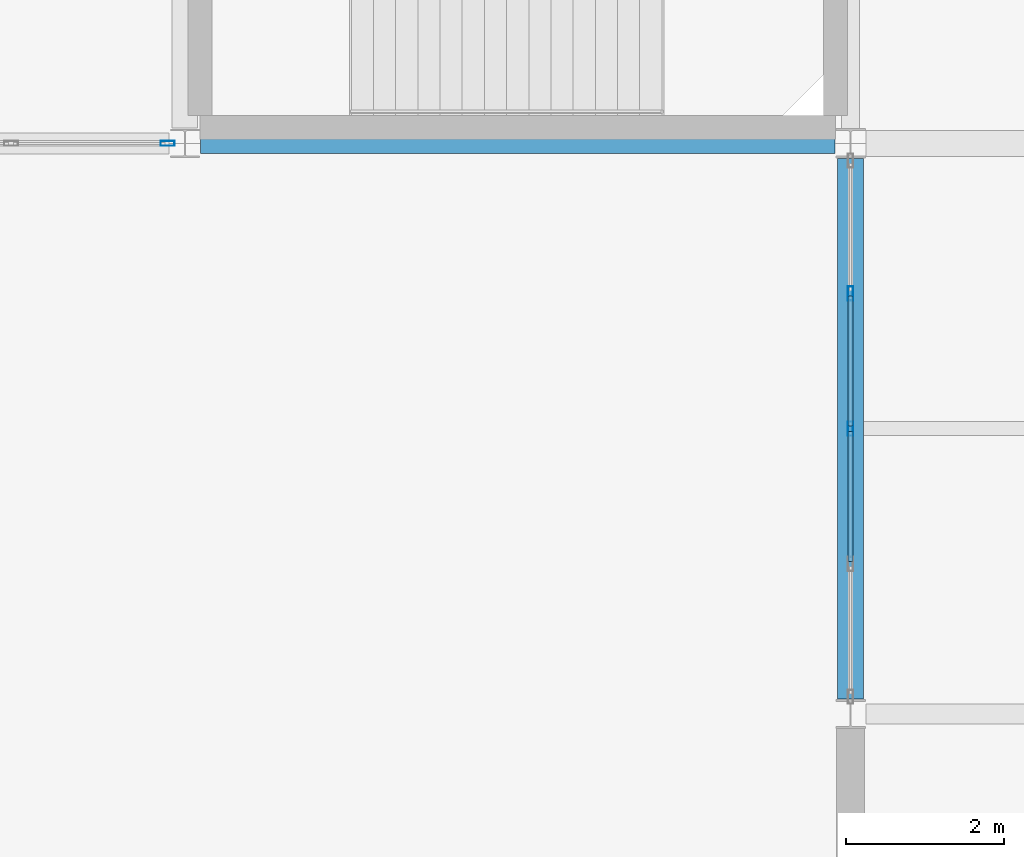
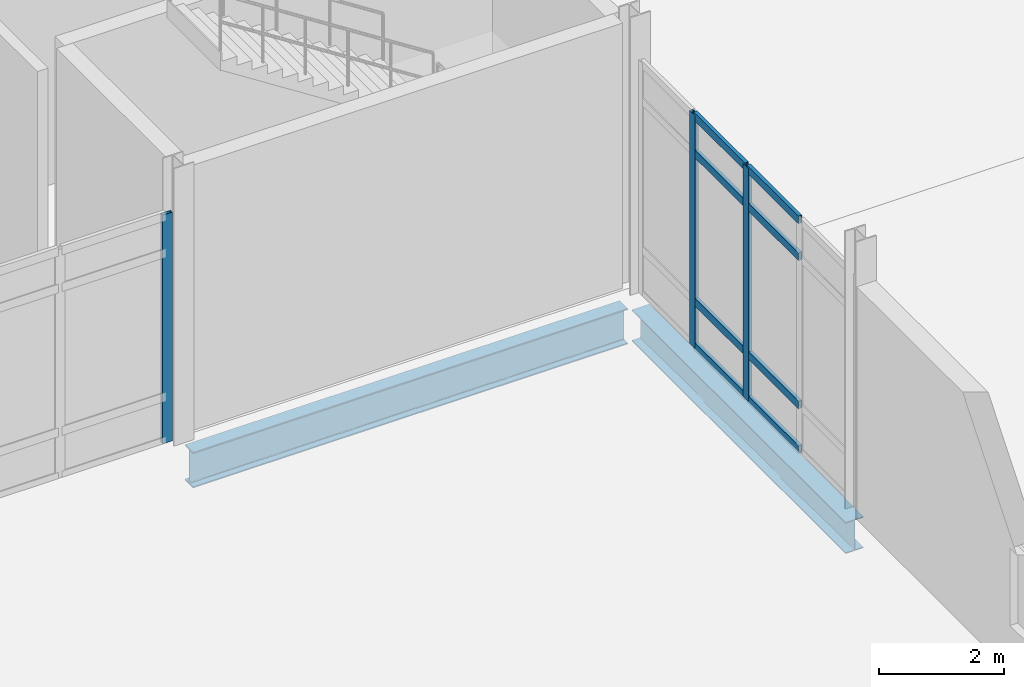
# One storey, part 93 of 229: 11 members, 2 beams, 2 elements without a shape of their own.
"""IFC4 building model written with IfcOpenShell, lengths in metres."""

from ifc_helpers import new_model, si_unit, direction, frame, origin, origin_2d, place, context, subcontext, project, spatial, hollow_rectangle, i_section, extrude, material, layer, layer_set, material_profile, profile_set, type_object, element, aggregate, save


model = new_model("IFC4")

# Units and contexts
model_context = context("Model", 3, precision=1e-05, world=origin(), true_north=direction((0.0, 1.0)))
body_context = subcontext(model_context, "Body", "Model", "MODEL_VIEW")
ifc_project = project(units=[si_unit("LENGTHUNIT", "METRE"), si_unit("AREAUNIT", "SQUARE_METRE"), si_unit("VOLUMEUNIT", "CUBIC_METRE"), si_unit("PLANEANGLEUNIT", "RADIAN"), si_unit("MASSUNIT", "GRAM", prefix="KILO")], contexts=[model_context])

# Site, building, storey
site_placement = place(None, origin())
site = spatial("IfcSite", under=ifc_project, at=site_placement, CompositionType="ELEMENT")
building_placement = place(site_placement, origin())
building = spatial("IfcBuilding", under=site, at=building_placement, Name="Calvrana Isthmian Art Gallery", CompositionType="ELEMENT")
storey_placement = place(building_placement, origin())
storey = spatial("IfcBuildingStorey", under=building, at=storey_placement, Name="L00", CompositionType="ELEMENT", Elevation=0.0)

# Beams
ifc_material_1 = material(Name="Steel ASTM A992 Gr 50", Category="steel")
ifc_material_profile_1 = material_profile(ifc_material_1, i_section(OverallWidth=0.324951171875, OverallDepth=0.612060546875, WebThickness=0.0126953125, FlangeThickness=0.01904296875, FilletRadius=0.02197265625, at=origin_2d()), Name="W24X104")
ifc_profile_set_1 = profile_set([ifc_material_profile_1], Name="Steel ASTM A992 Gr 50")
beam_type_1 = type_object("IfcBeamType", Name="BM-G-W24X104", PredefinedType="BEAM", material=ifc_profile_set_1)
beam_1_placement = place(storey_placement, frame((55.199951171875, 91.387939453125, -0.591064453125), z_axis=(0.0, 1.0, 0.0), x_axis=(-1.0, 0.0, 0.0)))
element("IfcBeam", 1, at=beam_1_placement, inside=storey, type_object=beam_type_1, Name="Girder Y L00 08/M-N", PredefinedType="BEAM", context=body_context, shape_type="SweptSolid", body=[
    extrude(i_section(OverallWidth=0.324951171875, OverallDepth=0.612060546875, WebThickness=0.0126953125, FlangeThickness=0.01904296875, FilletRadius=0.02197265625, at=origin_2d()), origin(), (0.0, 0.0, 1.0), 6.821533203125),
])
ifc_material_profile_2 = material_profile(ifc_material_1, i_section(OverallWidth=0.257080078125, OverallDepth=0.693115234375, WebThickness=0.014404296875, FlangeThickness=0.023681640625, FilletRadius=0.02392578125, at=origin_2d()), Name="W27X114")
ifc_profile_set_2 = profile_set([ifc_material_profile_2], Name="Steel ASTM A992 Gr 50")
beam_type_2 = type_object("IfcBeamType", Name="BM-G-W27X114", PredefinedType="BEAM", material=ifc_profile_set_2)
beam_2_placement = place(storey_placement, frame((46.99951171875, 98.39990234375, -0.631591796875), z_axis=(1.0, 0.0, 0.0), x_axis=(0.0, 1.0, 0.0)))
element("IfcBeam", 2, at=beam_2_placement, inside=storey, type_object=beam_type_2, Name="Girder X L00 07-08/N", PredefinedType="BEAM", context=body_context, shape_type="SweptSolid", body=[
    extrude(i_section(OverallWidth=0.257080078125, OverallDepth=0.693115234375, WebThickness=0.014404296875, FlangeThickness=0.023681640625, FilletRadius=0.02392578125, at=origin_2d()), origin(), (0.0, 0.0, 1.0), 8.00244140625),
])

# Curtain wall, member
ifc_material_2 = material(Name="Anodized bronze aluminium 6063-T6", Category="aluminium")
ifc_layer_1 = layer(ifc_material_2, 0.179931640625, Name="Anodized bronze aluminium 6063-T6")
ifc_layer_set_1 = layer_set([ifc_layer_1], Name="Anodized bronze aluminium 6063-T6")
curtain_wall_type_1 = type_object("IfcCurtainWallType", Name="CW-UNIT-080X44", PredefinedType="USERDEFINED", material=ifc_layer_set_1)
curtain_wall_1_placement = place(storey_placement, origin())
curtain_wall_1 = element("IfcCurtainWall", 3, at=curtain_wall_1_placement, inside=storey, type_object=curtain_wall_type_1, Name="Curtain wall CW-038", ObjectType="UNITISED CURTAIN WALL", PredefinedType="USERDEFINED")
ifc_material_profile_3 = material_profile(ifc_material_2, hollow_rectangle(XDim=0.06494140625, YDim=0.179931640625, WallThickness=0.00439453125, at=origin_2d()), Name="CWM65X180")
ifc_profile_set_3 = profile_set([ifc_material_profile_3], Name="Anodized bronze aluminium 6063-T6")
member_type_1 = type_object("IfcMemberType", Name="CWM-CWM65X180", PredefinedType="MULLION", material=ifc_profile_set_3)
member_1_placement = place(storey_placement, frame((46.58349609375, 98.39990234375, 0.0), z_axis=(0.0, 0.0, 1.0), x_axis=(0.0, -1.0, 0.0)))
member_1 = element("IfcMember", 4, at=member_1_placement, type_object=member_type_1, Name="CW-038 mullion 1", PredefinedType="MULLION", context=body_context, shape_type="SweptSolid", body=[
    extrude(hollow_rectangle(XDim=0.06494140625, YDim=0.179931640625, WallThickness=0.00439453125, at=origin_2d()), origin(), (0.0, 0.0, 1.0), 4.447021484375),
])
aggregate(curtain_wall_1, [member_1])

# Curtain wall, members
ifc_layer_2 = layer(ifc_material_2, 0.179931640625, Name="Anodized bronze aluminium 6063-T6")
ifc_layer_set_2 = layer_set([ifc_layer_2], Name="Anodized bronze aluminium 6063-T6")
curtain_wall_type_2 = type_object("IfcCurtainWallType", Name="CW-STICK-068X45", PredefinedType="NOTDEFINED", material=ifc_layer_set_2)
curtain_wall_2_placement = place(storey_placement, origin())
curtain_wall_2 = element("IfcCurtainWall", 5, at=curtain_wall_2_placement, inside=storey, type_object=curtain_wall_type_2, Name="Curtain wall CW-062", PredefinedType="NOTDEFINED")
member_2_placement = place(storey_placement, frame((55.199951171875, 94.798828125, 0.0), z_axis=(0.0, 0.0, 1.0), x_axis=(-1.0, 0.0, 0.0)))
member_2 = element("IfcMember", 6, at=member_2_placement, type_object=member_type_1, Name="CW-062 mullion 3", PredefinedType="MULLION", context=body_context, shape_type="SweptSolid", body=[
    extrude(hollow_rectangle(XDim=0.06494140625, YDim=0.179931640625, WallThickness=0.00439453125, at=origin_2d()), origin(), (0.0, 0.0, 1.0), 4.532958984375),
])
member_3_placement = place(storey_placement, frame((55.199951171875, 96.506103515625, 0.0), z_axis=(0.0, 0.0, 1.0), x_axis=(-1.0, 0.0, 0.0)))
member_3 = element("IfcMember", 7, at=member_3_placement, type_object=member_type_1, Name="CW-062 mullion 4", PredefinedType="MULLION", context=body_context, shape_type="SweptSolid", body=[
    extrude(hollow_rectangle(XDim=0.06494140625, YDim=0.179931640625, WallThickness=0.00439453125, at=origin_2d()), origin(), (0.0, 0.0, 1.0), 4.532958984375),
])
ifc_material_profile_4 = material_profile(ifc_material_2, hollow_rectangle(XDim=0.06494140625, YDim=0.14990234375, WallThickness=0.00390625, at=origin_2d()), Name="CWT65X150")
ifc_profile_set_4 = profile_set([ifc_material_profile_4], Name="Anodized bronze aluminium 6063-T6")
member_type_2 = type_object("IfcMemberType", Name="CWT-CWT65X150", PredefinedType="USERDEFINED", material=ifc_profile_set_4)
member_4_placement = place(storey_placement, frame((55.199951171875, 93.123779296875, 0.032470703125), z_axis=(0.0, 1.0, 0.0), x_axis=(-1.0, 0.0, 0.0)))
member_4 = element("IfcMember", 8, at=member_4_placement, type_object=member_type_2, Name="CW-062 transom 2.1", ObjectType="TRANSOM", PredefinedType="USERDEFINED", context=body_context, shape_type="SweptSolid", body=[
    extrude(hollow_rectangle(XDim=0.06494140625, YDim=0.14990234375, WallThickness=0.00390625, at=origin_2d()), origin(), (0.0, 0.0, 1.0), 1.642578125),
])
member_5_placement = place(storey_placement, frame((55.199951171875, 93.123779296875, 0.89990234375), z_axis=(0.0, 1.0, 0.0), x_axis=(-1.0, 0.0, 0.0)))
member_5 = element("IfcMember", 9, at=member_5_placement, type_object=member_type_2, Name="CW-062 transom 2.2", ObjectType="TRANSOM", PredefinedType="USERDEFINED", context=body_context, shape_type="SweptSolid", body=[
    extrude(hollow_rectangle(XDim=0.06494140625, YDim=0.14990234375, WallThickness=0.00390625, at=origin_2d()), origin(), (0.0, 0.0, 1.0), 1.642578125),
])
member_6_placement = place(storey_placement, frame((55.199951171875, 93.123779296875, 3.782958984375), z_axis=(0.0, 1.0, 0.0), x_axis=(-1.0, 0.0, 0.0)))
member_6 = element("IfcMember", 10, at=member_6_placement, type_object=member_type_2, Name="CW-062 transom 2.3", ObjectType="TRANSOM", PredefinedType="USERDEFINED", context=body_context, shape_type="SweptSolid", body=[
    extrude(hollow_rectangle(XDim=0.06494140625, YDim=0.14990234375, WallThickness=0.00390625, at=origin_2d()), origin(), (0.0, 0.0, 1.0), 1.642578125),
])
member_7_placement = place(storey_placement, frame((55.199951171875, 93.123779296875, 4.50048828125), z_axis=(0.0, 1.0, 0.0), x_axis=(-1.0, 0.0, 0.0)))
member_7 = element("IfcMember", 11, at=member_7_placement, type_object=member_type_2, Name="CW-062 transom 2.4", ObjectType="TRANSOM", PredefinedType="USERDEFINED", context=body_context, shape_type="SweptSolid", body=[
    extrude(hollow_rectangle(XDim=0.06494140625, YDim=0.14990234375, WallThickness=0.00390625, at=origin_2d()), origin(), (0.0, 0.0, 1.0), 1.642578125),
])
member_8_placement = place(storey_placement, frame((55.199951171875, 94.831298828125, 0.032470703125), z_axis=(0.0, 1.0, 0.0), x_axis=(-1.0, 0.0, 0.0)))
member_8 = element("IfcMember", 12, at=member_8_placement, type_object=member_type_2, Name="CW-062 transom 3.1", ObjectType="TRANSOM", PredefinedType="USERDEFINED", context=body_context, shape_type="SweptSolid", body=[
    extrude(hollow_rectangle(XDim=0.06494140625, YDim=0.14990234375, WallThickness=0.00390625, at=origin_2d()), origin(), (0.0, 0.0, 1.0), 1.642333984375),
])
member_9_placement = place(storey_placement, frame((55.199951171875, 94.831298828125, 0.89990234375), z_axis=(0.0, 1.0, 0.0), x_axis=(-1.0, 0.0, 0.0)))
member_9 = element("IfcMember", 13, at=member_9_placement, type_object=member_type_2, Name="CW-062 transom 3.2", ObjectType="TRANSOM", PredefinedType="USERDEFINED", context=body_context, shape_type="SweptSolid", body=[
    extrude(hollow_rectangle(XDim=0.06494140625, YDim=0.14990234375, WallThickness=0.00390625, at=origin_2d()), origin(), (0.0, 0.0, 1.0), 1.642333984375),
])
member_10_placement = place(storey_placement, frame((55.199951171875, 94.831298828125, 3.782958984375), z_axis=(0.0, 1.0, 0.0), x_axis=(-1.0, 0.0, 0.0)))
member_10 = element("IfcMember", 14, at=member_10_placement, type_object=member_type_2, Name="CW-062 transom 3.3", ObjectType="TRANSOM", PredefinedType="USERDEFINED", context=body_context, shape_type="SweptSolid", body=[
    extrude(hollow_rectangle(XDim=0.06494140625, YDim=0.14990234375, WallThickness=0.00390625, at=origin_2d()), origin(), (0.0, 0.0, 1.0), 1.642333984375),
])
member_11_placement = place(storey_placement, frame((55.199951171875, 94.831298828125, 4.50048828125), z_axis=(0.0, 1.0, 0.0), x_axis=(-1.0, 0.0, 0.0)))
member_11 = element("IfcMember", 15, at=member_11_placement, type_object=member_type_2, Name="CW-062 transom 3.4", ObjectType="TRANSOM", PredefinedType="USERDEFINED", context=body_context, shape_type="SweptSolid", body=[
    extrude(hollow_rectangle(XDim=0.06494140625, YDim=0.14990234375, WallThickness=0.00390625, at=origin_2d()), origin(), (0.0, 0.0, 1.0), 1.642333984375),
])
aggregate(curtain_wall_2, [member_2, member_3, member_4, member_5, member_6, member_7, member_8, member_9, member_10, member_11])

save(model, "model.ifc")
